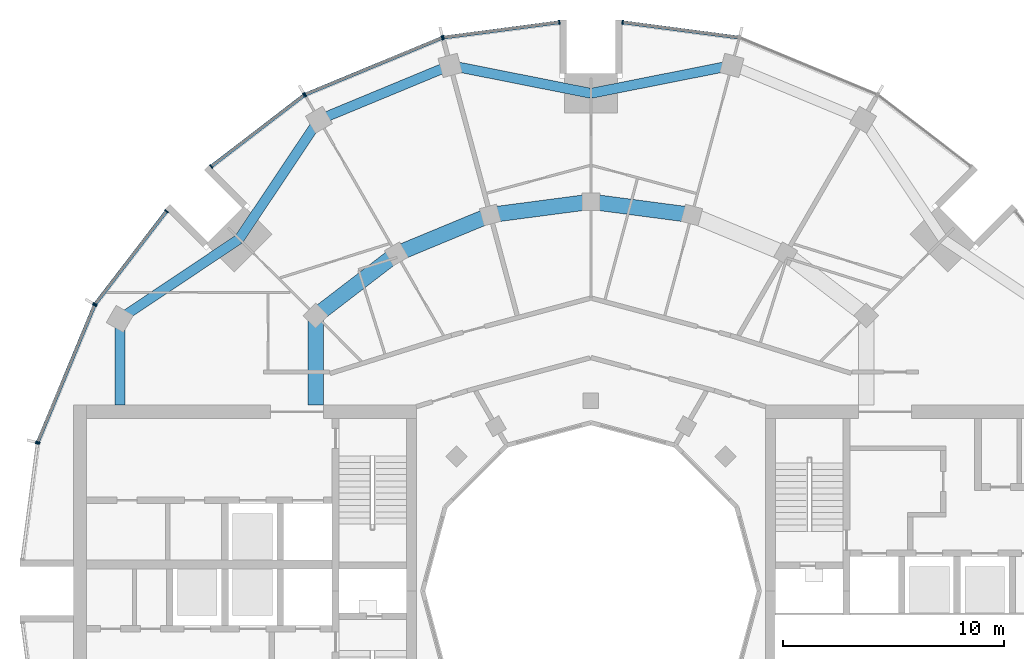
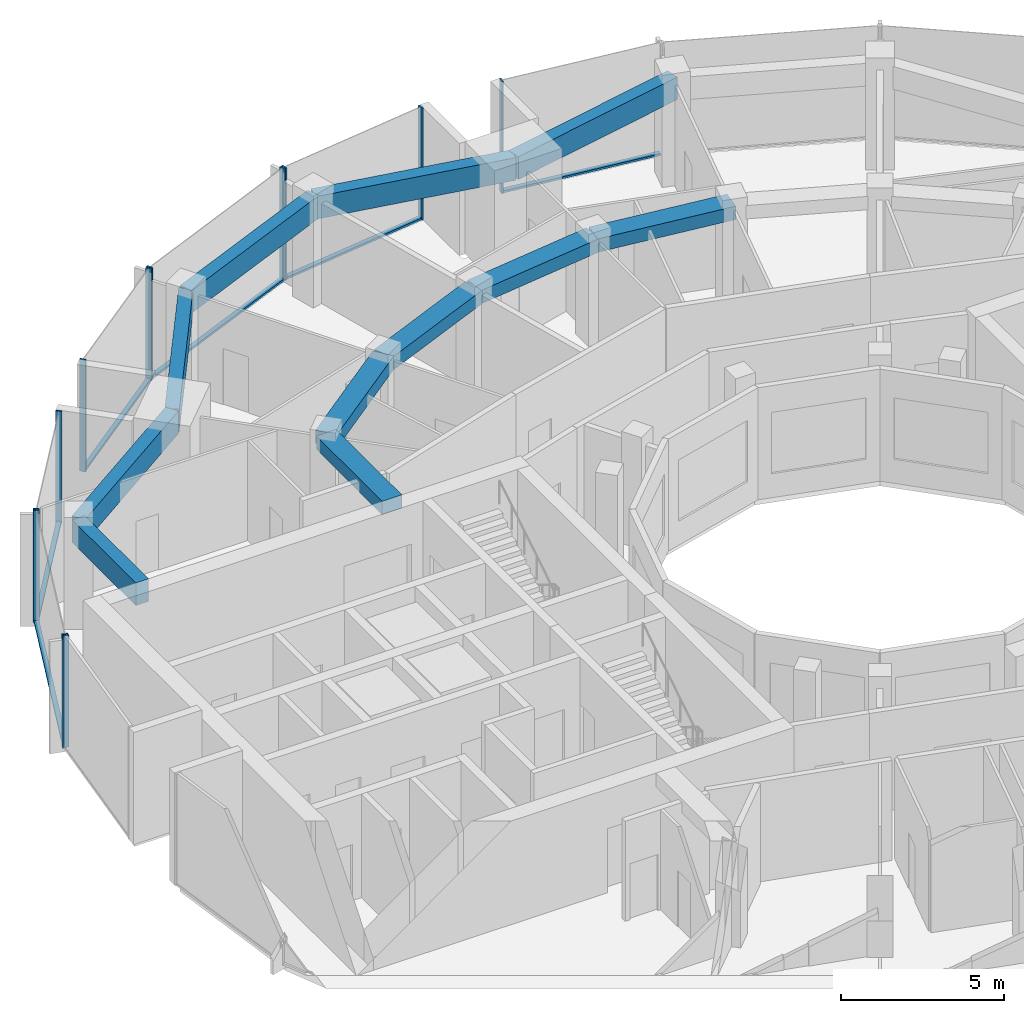
# One storey, part 5 of 15: 18 members, 11 beams, 7 elements without a shape of their own.
"""IFC4 building model written with IfcOpenShell, lengths in metres."""

import ifcopenshell
import ifcopenshell.guid

model = None  # the IFC model being written
_history = None  # IfcOwnerHistory: only IFC2X3 demands one
_inside = {}  # id of a spatial element -> (the spatial element, [elements in it])
_under = {}  # id of a project, library or spatial element -> (it, [spatial elements below it])
_declared = {}  # id of a project -> (the project, [libraries it declares])
_typed = {}  # id of a type object -> (the type object, [elements of that type])
_made_of = {}  # id of a material, layer set ... -> (it, [elements and type objects made of it])


def new_model(schema):
    """Start an empty IFC model of exactly this schema.

    Asked for "IFC4X3", IfcOpenShell would pick the latest addendum, in which some entities
    have other attributes; the version numbers below select the first issue.
    IFC2X3 requires an IfcOwnerHistory on every rooted entity: one is made here for all.
    """
    global model, _history
    if schema == "IFC4X3":
        model = ifcopenshell.file(schema_version=(4, 3, 0, 0))
    else:
        model = ifcopenshell.file(schema=schema)
    _inside.clear()
    _under.clear()
    _declared.clear()
    _typed.clear()
    _made_of.clear()
    _history = None
    if model.schema == "IFC2X3":
        org = make("IfcOrganization", Name="unknown")
        user = make(
            "IfcPersonAndOrganization",
            ThePerson=make("IfcPerson", FamilyName="unknown"),
            TheOrganization=org,
        )
        app = make(
            "IfcApplication",
            ApplicationDeveloper=org,
            Version="unknown",
            ApplicationFullName="unknown",
            ApplicationIdentifier="unknown",
        )
        _history = make(
            "IfcOwnerHistory",
            OwningUser=user,
            OwningApplication=app,
            ChangeAction="ADDED",
            CreationDate=0,
        )
    return model


def make(cls, **values):
    """One entity of the class cls with the attributes given. An attribute that is None is left unset."""
    return model.create_entity(
        cls, **{name: value for name, value in values.items() if value is not None}
    )


def rooted(cls, **values):
    """An entity with a GlobalId (a new one), such as an element, a storey or a relation."""
    return make(cls, GlobalId=ifcopenshell.guid.new(), OwnerHistory=_history, **values)


def si_unit(unit_type, name, prefix=None):
    """IfcSIUnit, for example si_unit("LENGTHUNIT", "METRE", prefix="MILLI")."""
    return make("IfcSIUnit", UnitType=unit_type, Prefix=prefix, Name=name)


def assignment(units):
    """IfcUnitAssignment: the units of a project."""
    return None if units is None else make("IfcUnitAssignment", Units=units)


def point(xyz):
    """IfcCartesianPoint."""
    return None if xyz is None else make("IfcCartesianPoint", Coordinates=xyz)


def direction(xyz):
    """IfcDirection."""
    return None if xyz is None else make("IfcDirection", DirectionRatios=xyz)


def frame(location, z_axis=None, x_axis=None):
    """IfcAxis2Placement3D, a coordinate frame: its origin and axes. An axis left out is left unset."""
    return make(
        "IfcAxis2Placement3D",
        Location=point(location),
        Axis=direction(z_axis),
        RefDirection=direction(x_axis),
    )


def frame_2d(location, x_axis=None):
    """IfcAxis2Placement2D, a coordinate frame in the plane: its origin and x axis."""
    return make(
        "IfcAxis2Placement2D", Location=point(location), RefDirection=direction(x_axis)
    )


def origin():
    """The frame at (0, 0, 0) with its axes left unset."""
    return frame((0.0, 0.0, 0.0))


def origin_2d():
    """The frame at (0, 0) in the plane with its x axis left unset."""
    return frame_2d((0.0, 0.0))


def place(relative_to, where):
    """IfcLocalPlacement: puts the frame where relative to a parent placement (None: the world)."""
    return make(
        "IfcLocalPlacement", PlacementRelTo=relative_to, RelativePlacement=where
    )


def context(
    kind, dimensions, precision=None, world=None, true_north=None, identifier=None
):
    """IfcGeometricRepresentationContext, for example the 3D "Model" context."""
    return make(
        "IfcGeometricRepresentationContext",
        ContextIdentifier=identifier,
        ContextType=kind,
        CoordinateSpaceDimension=dimensions,
        Precision=precision,
        WorldCoordinateSystem=world,
        TrueNorth=true_north,
    )


def subcontext(parent, identifier, kind, view, scale=None):
    """IfcGeometricRepresentationSubContext, for example "Body" below "Model"."""
    return make(
        "IfcGeometricRepresentationSubContext",
        ContextIdentifier=identifier,
        ContextType=kind,
        ParentContext=parent,
        TargetScale=scale,
        TargetView=view,
    )


def project(units=None, contexts=None):
    """IfcProject with its units and contexts."""
    return rooted(
        "IfcProject",
        Name="project",
        RepresentationContexts=contexts,
        UnitsInContext=assignment(units),
    )


def spatial(cls, under=None, at=None, **own):
    """A site, building, storey or space (cls), placed at a placement, below another one or the project."""
    s = rooted(cls, ObjectPlacement=at, **own)
    if under is not None:
        _under.setdefault(under.id(), (under, []))[1].append(s)
    return s


def profile(cls, at=None, kind="AREA", **sizes):
    """A parametric profile (cls). Its sizes go by their IFC names, for example OverallWidth=200.0."""
    return make(cls, ProfileType=kind, Position=at, **sizes)


def rectangle(**sizes):
    """IfcRectangleProfileDef."""
    return profile("IfcRectangleProfileDef", **sizes)


def extrude(swept, where, along, depth):
    """IfcExtrudedAreaSolid: the profile swept, set in the frame where, extruded along a direction by depth."""
    return make(
        "IfcExtrudedAreaSolid",
        SweptArea=swept,
        Position=where,
        ExtrudedDirection=direction(along),
        Depth=depth,
    )


def shape(context_of_items, identifier, shape_type, items):
    """IfcShapeRepresentation: the items that make up one representation, for example the "Body"."""
    return make(
        "IfcShapeRepresentation",
        ContextOfItems=context_of_items,
        RepresentationIdentifier=identifier,
        RepresentationType=shape_type,
        Items=items,
    )


def material(Name=None, Category=None):
    """IfcMaterial."""
    return make("IfcMaterial", Name=Name, Category=Category)


def layer(
    of_material, thickness, ventilated=None, Name=None, Category=None, Priority=None
):
    """IfcMaterialLayer: one layer of a wall or slab, of a material (None: an air gap)."""
    return make(
        "IfcMaterialLayer",
        Material=of_material,
        LayerThickness=thickness,
        IsVentilated=ventilated,
        Name=Name,
        Category=Category,
        Priority=Priority,
    )


def layer_set(layers, Name=None):
    """IfcMaterialLayerSet."""
    return make("IfcMaterialLayerSet", MaterialLayers=layers, LayerSetName=Name)


def material_profile(
    of_material, cross_section, Name=None, Category=None, Priority=None
):
    """IfcMaterialProfile: a cross section and its material."""
    return make(
        "IfcMaterialProfile",
        Name=Name,
        Material=of_material,
        Profile=cross_section,
        Priority=Priority,
        Category=Category,
    )


def profile_set(profiles, Name=None, composite=None):
    """IfcMaterialProfileSet."""
    return make(
        "IfcMaterialProfileSet",
        Name=Name,
        MaterialProfiles=profiles,
        CompositeProfile=composite,
    )


def made_of(thing, what):
    """Note that an element or type object is made of a material, layer set ...; save() writes the relation."""
    if what is not None:
        _made_of.setdefault(what.id(), (what, []))[1].append(thing)
    return thing


def type_object(cls, material=None, **own):
    """A type object (cls), such as IfcWallType, which elements share."""
    return made_of(rooted(cls, **own), material)


def element(
    cls,
    number,
    at=None,
    inside=None,
    cuts=None,
    type_object=None,
    material=None,
    context=None,
    identifier="Body",
    shape_type=None,
    held_by="IfcProductDefinitionShape",
    body=None,
    shapes=None,
    **own,
):
    """One element of the class cls, such as IfcWall. Its Tag is "e" and its number.

    at: its placement. inside: the storey or other place that contains it. cuts: it is an
    opening in that element (IfcRelVoidsElement). A single representation is given by context,
    identifier, shape_type and body (its items); several are given by shapes. held_by: the class
    of the entity that holds the representations. save() writes the other relations.
    """
    e = rooted(cls, Tag="e%d" % number, ObjectPlacement=at, **own)
    if body is not None:
        shapes = [shape(context, identifier, shape_type, body)]
    if shapes is not None:
        e.Representation = make(held_by, Representations=shapes)
    if inside is not None:
        _inside.setdefault(inside.id(), (inside, []))[1].append(e)
    if cuts is not None:
        rooted(
            "IfcRelVoidsElement", RelatingBuildingElement=cuts, RelatedOpeningElement=e
        )
    if type_object is not None:
        _typed.setdefault(type_object.id(), (type_object, []))[1].append(e)
    return made_of(e, material)


def aggregate(whole, parts):
    """IfcRelAggregates: a whole, such as a stair, and the parts it consists of."""
    return rooted("IfcRelAggregates", RelatingObject=whole, RelatedObjects=parts)


def save(model, path):
    """Write the relations noted so far, then the file.

    IfcRelAggregates (storeys below a building ...), IfcRelContainedInSpatialStructure (elements
    in a storey), IfcRelDefinesByType, IfcRelAssociatesMaterial and IfcRelDeclares: one each for
    every whole, place, type object, material and project.
    """
    for whole, parts in _under.values():
        aggregate(whole, parts)
    for where, things in _inside.values():
        rooted(
            "IfcRelContainedInSpatialStructure",
            RelatedElements=things,
            RelatingStructure=where,
        )
    for kind, things in _typed.values():
        rooted("IfcRelDefinesByType", RelatedObjects=things, RelatingType=kind)
    for what, things in _made_of.values():
        rooted("IfcRelAssociatesMaterial", RelatedObjects=things, RelatingMaterial=what)
    for by, libraries in _declared.values():
        rooted("IfcRelDeclares", RelatingContext=by, RelatedDefinitions=libraries)
    model.write(path)


model = new_model("IFC4")

# Units and contexts
model_context = context("Model", 3, precision=1e-05, world=origin(), true_north=direction((0.0, 1.0)))
body_context = subcontext(model_context, "Body", "Model", "MODEL_VIEW")
ifc_project = project(units=[si_unit("LENGTHUNIT", "METRE"), si_unit("AREAUNIT", "SQUARE_METRE"), si_unit("VOLUMEUNIT", "CUBIC_METRE"), si_unit("PLANEANGLEUNIT", "RADIAN"), si_unit("MASSUNIT", "GRAM", prefix="KILO")], contexts=[model_context])

# Site, building, storey
site_placement = place(None, origin())
site = spatial("IfcSite", under=ifc_project, at=site_placement, CompositionType="ELEMENT")
building_placement = place(site_placement, origin())
building = spatial("IfcBuilding", under=site, at=building_placement, Name="Torre Brocal", CompositionType="ELEMENT")
storey_placement = place(building_placement, frame((0.0, 0.0, 249.89990234375)))
storey = spatial("IfcBuildingStorey", under=building, at=storey_placement, Name="L57", CompositionType="ELEMENT", Elevation=249.89990234375)

# Curtain wall, member
ifc_material_1 = material(Name="Aluminium and glass", Category="aluminium")
ifc_layer_1 = layer(ifc_material_1, 0.199951171875)
ifc_layer_set_1 = layer_set([ifc_layer_1], Name="Aluminium and glass")
curtain_wall_type_1 = type_object("IfcCurtainWallType", Name="CW-1 CURTAIN WALL 4200 HIGH", PredefinedType="NOTDEFINED", material=ifc_layer_set_1)
curtain_wall_1_placement = place(storey_placement, origin())
curtain_wall_1 = element("IfcCurtainWall", 1, at=curtain_wall_1_placement, inside=storey, type_object=curtain_wall_type_1, Name="CW-1 RUN 6", PredefinedType="NOTDEFINED")
ifc_material_2 = material(Name="Aluminium, dark anodised", Category="aluminium")
ifc_material_profile_1 = material_profile(ifc_material_2, rectangle(XDim=0.199951171875, YDim=0.06005859375, at=origin_2d()), Name="CW-1 MULLION 60X200")
ifc_profile_set_1 = profile_set([ifc_material_profile_1], Name="Aluminium, dark anodised")
member_type_1 = type_object("IfcMemberType", Name="CW-1 MULLION 60X200", PredefinedType="MULLION", material=ifc_profile_set_1)
member_1_placement = place(storey_placement, frame((81.4296875, 100.7109375, 0.0), z_axis=(0.0, 0.0, 1.0), x_axis=(-0.13052619222, -0.991444861374, 0.0)))
member_1 = element("IfcMember", 2, at=member_1_placement, type_object=member_type_1, Name="CW1-5 mullion 2", PredefinedType="MULLION", context=body_context, shape_type="SweptSolid", body=[
    extrude(rectangle(XDim=0.199951171875, YDim=0.06005859375, at=origin_2d()), origin(), (0.0, 0.0, 1.0), 4.2001953125),
])

# Curtain wall, members
curtain_wall_2_placement = place(storey_placement, origin())
curtain_wall_2 = element("IfcCurtainWall", 3, at=curtain_wall_2_placement, inside=storey, type_object=curtain_wall_type_1, Name="CW-1 RUN 7", PredefinedType="NOTDEFINED")
member_2_placement = place(storey_placement, frame((78.5703125, 100.7109375, 0.0), z_axis=(0.0, 0.0, 1.0), x_axis=(0.13052619222, -0.991444861374, 0.0)))
member_2 = element("IfcMember", 4, at=member_2_placement, type_object=member_type_1, Name="CW1-5 mullion 1", PredefinedType="MULLION", context=body_context, shape_type="SweptSolid", body=[
    extrude(rectangle(XDim=0.199951171875, YDim=0.06005859375, at=origin_2d()), origin(), (0.0, 0.0, 1.0), 4.2001953125),
])
member_3_placement = place(storey_placement, frame((73.32666015625, 100.0205078125, 0.0), z_axis=(0.0, 0.0, 1.0), x_axis=(0.13052619222, -0.991444861374, 0.0)))
member_3 = element("IfcMember", 5, at=member_3_placement, type_object=member_type_1, Name="CW1-5 mullion 2", PredefinedType="MULLION", context=body_context, shape_type="SweptSolid", body=[
    extrude(rectangle(XDim=0.199951171875, YDim=0.06005859375, at=origin_2d()), origin(), (0.0, 0.0, 1.0), 4.2001953125),
])

curtain_wall_3_placement = place(storey_placement, origin())
curtain_wall_3 = element("IfcCurtainWall", 6, at=curtain_wall_3_placement, inside=storey, type_object=curtain_wall_type_1, Name="CW-1 RUN 8", PredefinedType="NOTDEFINED")
member_4_placement = place(storey_placement, frame((73.26904296875, 100.005126953125, 0.0), z_axis=(0.0, 0.0, 1.0), x_axis=(0.382683432333, -0.923879532525, 0.0)))
member_4 = element("IfcMember", 7, at=member_4_placement, type_object=member_type_1, Name="CW1-5 mullion 1", PredefinedType="MULLION", context=body_context, shape_type="SweptSolid", body=[
    extrude(rectangle(XDim=0.199951171875, YDim=0.06005859375, at=origin_2d()), origin(), (0.0, 0.0, 1.0), 4.2001953125),
])
member_5_placement = place(storey_placement, frame((67.078125, 97.440673828125, 0.0), z_axis=(0.0, 0.0, 1.0), x_axis=(0.382683432333, -0.923879532525, 0.0)))
member_5 = element("IfcMember", 8, at=member_5_placement, type_object=member_type_1, Name="CW1-5 mullion 2", PredefinedType="MULLION", context=body_context, shape_type="SweptSolid", body=[
    extrude(rectangle(XDim=0.199951171875, YDim=0.06005859375, at=origin_2d()), origin(), (0.0, 0.0, 1.0), 4.2001953125),
])

curtain_wall_4_placement = place(storey_placement, origin())
curtain_wall_4 = element("IfcCurtainWall", 9, at=curtain_wall_4_placement, inside=storey, type_object=curtain_wall_type_1, Name="CW-1 RUN 9", PredefinedType="NOTDEFINED")
member_6_placement = place(storey_placement, frame((67.026611328125, 97.4111328125, 0.0), z_axis=(0.0, 0.0, 1.0), x_axis=(0.60876142905, -0.793353340259, 0.0)))
member_6 = element("IfcMember", 10, at=member_6_placement, type_object=member_type_1, Name="CW1-5 mullion 1", PredefinedType="MULLION", context=body_context, shape_type="SweptSolid", body=[
    extrude(rectangle(XDim=0.199951171875, YDim=0.06005859375, at=origin_2d()), origin(), (0.0, 0.0, 1.0), 4.2001953125),
])
member_7_placement = place(storey_placement, frame((62.83056640625, 94.19140625, 0.0), z_axis=(0.0, 0.0, 1.0), x_axis=(0.60876142905, -0.793353340259, 0.0)))
member_7 = element("IfcMember", 11, at=member_7_placement, type_object=member_type_1, Name="CW1-5 mullion 2", PredefinedType="MULLION", context=body_context, shape_type="SweptSolid", body=[
    extrude(rectangle(XDim=0.199951171875, YDim=0.06005859375, at=origin_2d()), origin(), (0.0, 0.0, 1.0), 4.2001953125),
])

curtain_wall_5_placement = place(storey_placement, origin())
curtain_wall_5 = element("IfcCurtainWall", 12, at=curtain_wall_5_placement, inside=storey, type_object=curtain_wall_type_1, Name="CW-1 RUN 10", PredefinedType="NOTDEFINED")
member_8_placement = place(storey_placement, frame((60.80859375, 92.16943359375, 0.0), z_axis=(0.0, 0.0, 1.0), x_axis=(0.793353340259, -0.60876142905, 0.0)))
member_8 = element("IfcMember", 13, at=member_8_placement, type_object=member_type_1, Name="CW1-5 mullion 1", PredefinedType="MULLION", context=body_context, shape_type="SweptSolid", body=[
    extrude(rectangle(XDim=0.199951171875, YDim=0.06005859375, at=origin_2d()), origin(), (0.0, 0.0, 1.0), 4.2001953125),
])
member_9_placement = place(storey_placement, frame((57.5888671875, 87.973388671875, 0.0), z_axis=(0.0, 0.0, 1.0), x_axis=(0.793353340259, -0.60876142905, 0.0)))
member_9 = element("IfcMember", 14, at=member_9_placement, type_object=member_type_1, Name="CW1-5 mullion 2", PredefinedType="MULLION", context=body_context, shape_type="SweptSolid", body=[
    extrude(rectangle(XDim=0.199951171875, YDim=0.06005859375, at=origin_2d()), origin(), (0.0, 0.0, 1.0), 4.2001953125),
])

curtain_wall_6_placement = place(storey_placement, origin())
curtain_wall_6 = element("IfcCurtainWall", 15, at=curtain_wall_6_placement, inside=storey, type_object=curtain_wall_type_1, Name="CW-1 RUN 11", PredefinedType="NOTDEFINED")
member_10_placement = place(storey_placement, frame((57.559326171875, 87.921875, 0.0), z_axis=(0.0, 0.0, 1.0), x_axis=(0.923879532525, -0.382683432333, 0.0)))
member_10 = element("IfcMember", 16, at=member_10_placement, type_object=member_type_1, Name="CW1-5 mullion 1", PredefinedType="MULLION", context=body_context, shape_type="SweptSolid", body=[
    extrude(rectangle(XDim=0.199951171875, YDim=0.06005859375, at=origin_2d()), origin(), (0.0, 0.0, 1.0), 4.2001953125),
])
member_11_placement = place(storey_placement, frame((54.994873046875, 81.73095703125, 0.0), z_axis=(0.0, 0.0, 1.0), x_axis=(0.923879532525, -0.382683432333, 0.0)))
member_11 = element("IfcMember", 17, at=member_11_placement, type_object=member_type_1, Name="CW1-5 mullion 2", PredefinedType="MULLION", context=body_context, shape_type="SweptSolid", body=[
    extrude(rectangle(XDim=0.199951171875, YDim=0.06005859375, at=origin_2d()), origin(), (0.0, 0.0, 1.0), 4.2001953125),
])

# Member
ifc_material_3 = material(Name="Aluminium, dark anodised", Category="aluminium")
ifc_material_profile_2 = material_profile(ifc_material_3, rectangle(XDim=0.159912109375, YDim=0.080078125, at=origin_2d()), Name="CW-1 TRANSOM 160X80")
ifc_profile_set_2 = profile_set([ifc_material_profile_2], Name="Aluminium, dark anodised")
member_type_2 = type_object("IfcMemberType", Name="CW-1 TRANSOM 160X80", PredefinedType="USERDEFINED", material=ifc_profile_set_2)
member_12_placement = place(storey_placement, frame((86.643798828125, 100.0244140625, 0.0400390625), z_axis=(-0.991442690863, 0.130542677827, 0.0), x_axis=(-0.130542677827, -0.991442690863, 0.0)))
member_12 = element("IfcMember", 18, at=member_12_placement, type_object=member_type_2, Name="CW1-5 transom 1.1", ObjectType="TRANSOM", PredefinedType="USERDEFINED", context=body_context, shape_type="SweptSolid", body=[
    extrude(rectangle(XDim=0.159912109375, YDim=0.080078125, at=origin_2d()), origin(), (0.0, 0.0, 1.0), 5.22900390625),
])

aggregate(curtain_wall_1, [member_1, member_12])

member_13_placement = place(storey_placement, frame((78.54052734375, 100.70703125, 0.0400390625), z_axis=(-0.991442690863, -0.130542677827, 0.0), x_axis=(0.130542677827, -0.991442690863, 0.0)))
member_13 = element("IfcMember", 19, at=member_13_placement, type_object=member_type_2, Name="CW1-5 transom 1.1", ObjectType="TRANSOM", PredefinedType="USERDEFINED", context=body_context, shape_type="SweptSolid", body=[
    extrude(rectangle(XDim=0.159912109375, YDim=0.080078125, at=origin_2d()), origin(), (0.0, 0.0, 1.0), 5.22900390625),
])

aggregate(curtain_wall_2, [member_2, member_3, member_13])

member_14_placement = place(storey_placement, frame((73.241455078125, 99.99365234375, 0.0400390625), z_axis=(-0.923887344364, -0.38266457234, 0.0), x_axis=(0.38266457234, -0.923887344364, 0.0)))
member_14 = element("IfcMember", 20, at=member_14_placement, type_object=member_type_2, Name="CW1-5 transom 1.1", ObjectType="TRANSOM", PredefinedType="USERDEFINED", context=body_context, shape_type="SweptSolid", body=[
    extrude(rectangle(XDim=0.159912109375, YDim=0.080078125, at=origin_2d()), origin(), (0.0, 0.0, 1.0), 6.640869140625),
])

aggregate(curtain_wall_3, [member_4, member_5, member_14])

member_15_placement = place(storey_placement, frame((67.0029296875, 97.392822265625, 0.0400390625), z_axis=(-0.79336281513, -0.60874908096, 0.0), x_axis=(0.60874908096, -0.79336281513, 0.0)))
member_15 = element("IfcMember", 21, at=member_15_placement, type_object=member_type_2, Name="CW1-5 transom 1.1", ObjectType="TRANSOM", PredefinedType="USERDEFINED", context=body_context, shape_type="SweptSolid", body=[
    extrude(rectangle(XDim=0.159912109375, YDim=0.080078125, at=origin_2d()), origin(), (0.0, 0.0, 1.0), 5.22900390625),
])

aggregate(curtain_wall_4, [member_6, member_7, member_15])

member_16_placement = place(storey_placement, frame((60.790283203125, 92.1455078125, 0.0400390625), z_axis=(-0.60874908096, -0.79336281513, 0.0), x_axis=(0.79336281513, -0.60874908096, 0.0)))
member_16 = element("IfcMember", 22, at=member_16_placement, type_object=member_type_2, Name="CW1-5 transom 1.1", ObjectType="TRANSOM", PredefinedType="USERDEFINED", context=body_context, shape_type="SweptSolid", body=[
    extrude(rectangle(XDim=0.159912109375, YDim=0.080078125, at=origin_2d()), origin(), (0.0, 0.0, 1.0), 5.22900390625),
])

aggregate(curtain_wall_5, [member_8, member_9, member_16])

member_17_placement = place(storey_placement, frame((57.547607421875, 87.89404296875, 0.0400390625), z_axis=(-0.38266457234, -0.923887344364, 0.0), x_axis=(0.923887344364, -0.38266457234, 0.0)))
member_17 = element("IfcMember", 23, at=member_17_placement, type_object=member_type_2, Name="CW1-5 transom 1.1", ObjectType="TRANSOM", PredefinedType="USERDEFINED", context=body_context, shape_type="SweptSolid", body=[
    extrude(rectangle(XDim=0.159912109375, YDim=0.080078125, at=origin_2d()), origin(), (0.0, 0.0, 1.0), 6.640869140625),
])

aggregate(curtain_wall_6, [member_10, member_11, member_17])

# Curtain wall, member
ifc_material_4 = material(Name="Aluminium and glass", Category="aluminium")
ifc_layer_2 = layer(ifc_material_4, 0.199951171875)
ifc_layer_set_2 = layer_set([ifc_layer_2], Name="Aluminium and glass")
curtain_wall_type_2 = type_object("IfcCurtainWallType", Name="CW-1B CURTAIN WALL 4200 HIGH", PredefinedType="NOTDEFINED", material=ifc_layer_set_2)
curtain_wall_7_placement = place(storey_placement, origin())
curtain_wall_7 = element("IfcCurtainWall", 24, at=curtain_wall_7_placement, inside=storey, type_object=curtain_wall_type_2, Name="CW-1B RUN 12", PredefinedType="NOTDEFINED")
ifc_material_5 = material(Name="Aluminium, dark anodised", Category="aluminium")
ifc_material_profile_3 = material_profile(ifc_material_5, rectangle(XDim=0.199951171875, YDim=0.06005859375, at=origin_2d()), Name="CW-1B MULLION 60X200")
ifc_profile_set_3 = profile_set([ifc_material_profile_3], Name="Aluminium, dark anodised")
member_type_3 = type_object("IfcMemberType", Name="CW-1B MULLION 60X200", PredefinedType="MULLION", material=ifc_profile_set_3)
member_18_placement = place(storey_placement, frame((54.9794921875, 81.67333984375, 0.0), z_axis=(0.0, 0.0, 1.0), x_axis=(0.991444861374, -0.13052619222, 0.0)))
member_18 = element("IfcMember", 25, at=member_18_placement, type_object=member_type_3, Name="CW1B-5 mullion 1", PredefinedType="MULLION", context=body_context, shape_type="SweptSolid", body=[
    extrude(rectangle(XDim=0.199951171875, YDim=0.06005859375, at=origin_2d()), origin(), (0.0, 0.0, 1.0), 4.2001953125),
])
aggregate(curtain_wall_7, [member_18])

# Beams
ifc_material_6 = material(Name="Concrete C50", Category="concrete")
ifc_material_profile_4 = material_profile(ifc_material_6, rectangle(XDim=0.699951171875, YDim=0.5, at=origin_2d()), Name="RC 700X500")
ifc_profile_set_4 = profile_set([ifc_material_profile_4], Name="Concrete C50")
beam_type_1 = type_object("IfcBeamType", Name="RC BEAM 700X500 C50 TOP 3880", PredefinedType="BEAM", material=ifc_profile_set_4)
for number, where, z_axis, x_axis, name in (
    (26, (84.55517578125, 92.000244140625, 3.630126953125), (-0.991440544449, 0.130558978332, 0.0), (-0.130558978332, -0.991440544449, 0.0), "Beam BT-37"),
    (27, (80.0, 92.60009765625, 3.630126953125), (-0.991440544449, -0.130558978332, 0.0), (0.130558978332, -0.991440544449, 0.0), "Beam BT-37"),
):
    element("IfcBeam", number, at=place(storey_placement, frame(where, z_axis=z_axis, x_axis=x_axis)), inside=storey, type_object=beam_type_1, Name=name, PredefinedType="BEAM", context=body_context, shape_type="SweptSolid", body=[
        extrude(rectangle(XDim=0.699951171875, YDim=0.5, at=origin_2d()), origin(), (0.0, 0.0, 1.0), 4.594482421875),
    ])
beam_1_placement = place(storey_placement, frame((75.44482421875, 92.000244140625, 3.630126953125), z_axis=(-0.923878240166, -0.382686552348, 0.0), x_axis=(0.382686552348, -0.923878240166, 0.0)))
element("IfcBeam", 28, at=beam_1_placement, inside=storey, type_object=beam_type_1, Name="Beam BT-37", PredefinedType="BEAM", context=body_context, shape_type="SweptSolid", body=[
    extrude(rectangle(XDim=0.699951171875, YDim=0.5, at=origin_2d()), origin(), (0.0, 0.0, 1.0), 4.5947265625),
])
beam_2_placement = place(storey_placement, frame((71.199951171875, 90.241943359375, 3.630126953125), z_axis=(-0.793358265959, -0.6087550097, 0.0), x_axis=(0.6087550097, -0.793358265959, 0.0)))
element("IfcBeam", 29, at=beam_2_placement, inside=storey, type_object=beam_type_1, Name="Beam BT-37", PredefinedType="BEAM", context=body_context, shape_type="SweptSolid", body=[
    extrude(rectangle(XDim=0.699951171875, YDim=0.5, at=origin_2d()), origin(), (0.0, 0.0, 1.0), 4.594482421875),
])
beam_3_placement = place(storey_placement, frame((67.554931640625, 87.445068359375, 3.630126953125), z_axis=(0.0, -1.0, 0.0), x_axis=(1.0, 0.0, 0.0)))
element("IfcBeam", 30, at=beam_3_placement, inside=storey, type_object=beam_type_1, Name="Beam BT-37", PredefinedType="BEAM", context=body_context, shape_type="SweptSolid", body=[
    extrude(rectangle(XDim=0.699951171875, YDim=0.5, at=origin_2d()), origin(), (0.0, 0.0, 1.0), 4.045166015625),
])
ifc_material_7 = material(Name="Concrete C50", Category="concrete")
ifc_material_profile_5 = material_profile(ifc_material_7, rectangle(XDim=0.449951171875, YDim=0.85009765625, at=origin_2d()), Name="RC 450X850")
ifc_profile_set_5 = profile_set([ifc_material_profile_5], Name="Concrete C50")
beam_type_2 = type_object("IfcBeamType", Name="RC SPANDREL BEAM 450X850 C50 TOP 3880", PredefinedType="SPANDREL", material=ifc_profile_set_5)
for number, where, z_axis, x_axis, name in (
    (31, (86.366943359375, 98.76171875, 3.455078125), (-0.980924907484, -0.194387051723, 0.0), (0.194387051723, -0.980924907484, 0.0), "Beam BT-38"),
    (32, (80.0, 97.5, 3.455078125), (-0.980924907484, 0.194387051723, 0.0), (-0.194387051723, -0.980924907484, 0.0), "Beam BT-38"),
):
    element("IfcBeam", number, at=place(storey_placement, frame(where, z_axis=z_axis, x_axis=x_axis)), inside=storey, type_object=beam_type_2, Name=name, PredefinedType="SPANDREL", context=body_context, shape_type="SweptSolid", body=[
        extrude(rectangle(XDim=0.449951171875, YDim=0.85009765625, at=origin_2d()), origin(), (0.0, 0.0, 1.0), 6.49072265625),
    ])
beam_4_placement = place(storey_placement, frame((73.633056640625, 98.76171875, 3.455078125), z_axis=(-0.923882462513, -0.382676358639, 0.0), x_axis=(0.382676358639, -0.923882462513, 0.0)))
element("IfcBeam", 33, at=beam_4_placement, inside=storey, type_object=beam_type_2, Name="Beam BT-38", PredefinedType="SPANDREL", context=body_context, shape_type="SweptSolid", body=[
    extrude(rectangle(XDim=0.449951171875, YDim=0.85009765625, at=origin_2d()), origin(), (0.0, 0.0, 1.0), 6.421875),
])
for number, where, z_axis, x_axis, name in (
    (34, (67.699951171875, 96.30419921875, 3.455078125), (-0.556157602282, -0.831076844476, 0.0), (0.831076844476, -0.556157602282, 0.0), "Beam BT-38"),
    (35, (64.090087890625, 90.909912109375, 3.455078125), (-0.831076844476, -0.556157602282, 0.0), (0.556157602282, -0.831076844476, 0.0), "Beam BT-38"),
):
    element("IfcBeam", number, at=place(storey_placement, frame(where, z_axis=z_axis, x_axis=x_axis)), inside=storey, type_object=beam_type_2, Name=name, PredefinedType="SPANDREL", context=body_context, shape_type="SweptSolid", body=[
        extrude(rectangle(XDim=0.449951171875, YDim=0.85009765625, at=origin_2d()), origin(), (0.0, 0.0, 1.0), 6.49072265625),
    ])
beam_5_placement = place(storey_placement, frame((58.69580078125, 87.300048828125, 3.455078125), z_axis=(0.0, -1.0, 0.0), x_axis=(1.0, 0.0, 0.0)))
element("IfcBeam", 36, at=beam_5_placement, inside=storey, type_object=beam_type_2, Name="Beam BT-38", PredefinedType="SPANDREL", context=body_context, shape_type="SweptSolid", body=[
    extrude(rectangle(XDim=0.449951171875, YDim=0.85009765625, at=origin_2d()), origin(), (0.0, 0.0, 1.0), 3.900146484375),
])

save(model, "model.ifc")
